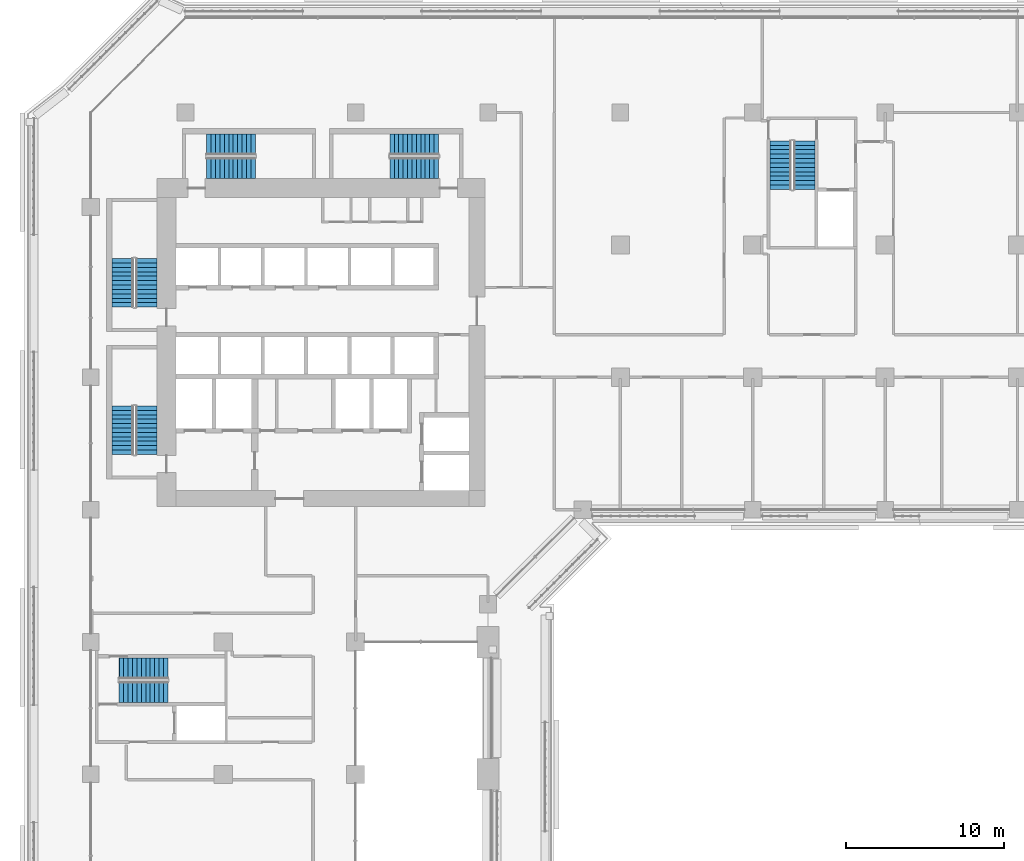
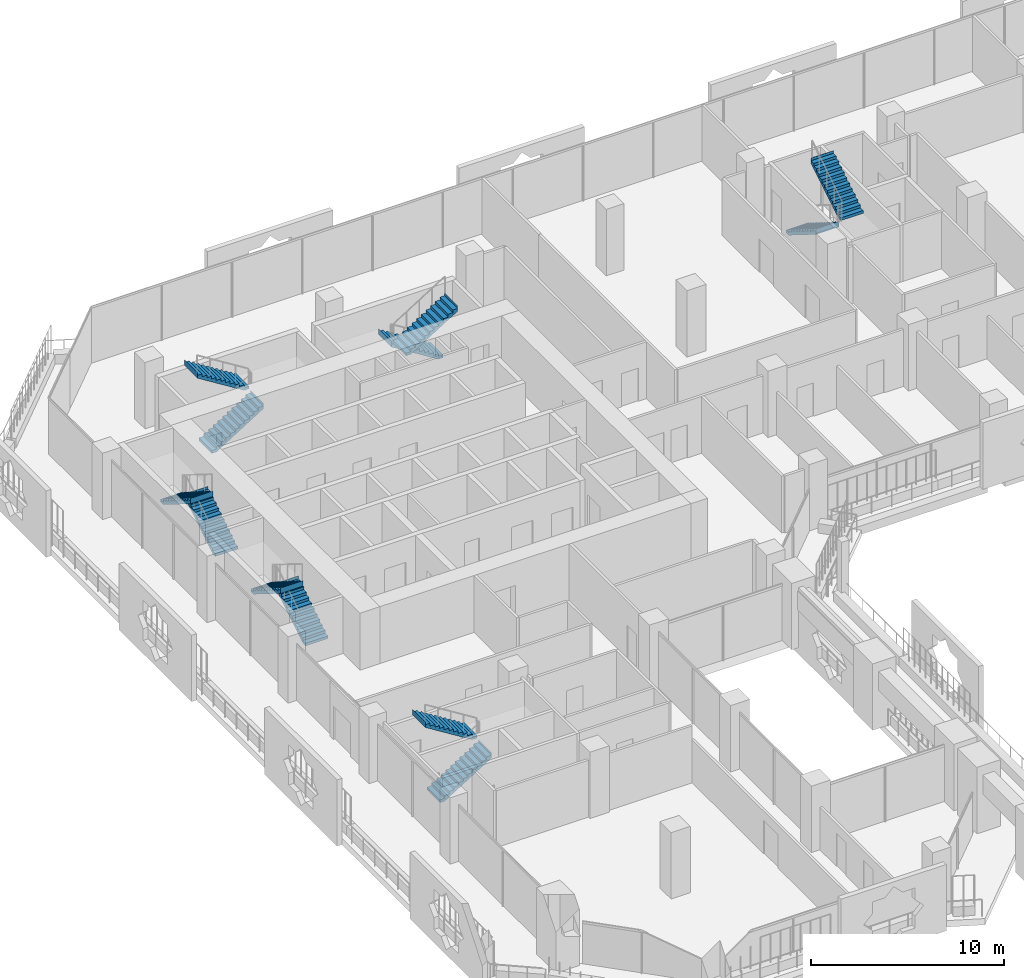
# One storey, part 20 of 29: 12 stair flights, 6 elements without a shape of their own.
"""IFC4 building model written with IfcOpenShell, lengths in metres."""

from ifc_helpers import new_model, si_unit, direction, frame, origin, place, context, subcontext, project, spatial, polyline, outline, extrude, material, type_object, element, aggregate, save


model = new_model("IFC4")

# Units and contexts
model_context = context("Model", 3, precision=1e-05, world=origin(), true_north=direction((0.0, 1.0)))
body_context = subcontext(model_context, "Body", "Model", "MODEL_VIEW")
ifc_project = project(units=[si_unit("LENGTHUNIT", "METRE"), si_unit("AREAUNIT", "SQUARE_METRE"), si_unit("VOLUMEUNIT", "CUBIC_METRE"), si_unit("PLANEANGLEUNIT", "RADIAN"), si_unit("MASSUNIT", "GRAM", prefix="KILO")], contexts=[model_context])

# Site, building, storey
site_placement = place(None, origin())
site = spatial("IfcSite", under=ifc_project, at=site_placement, CompositionType="ELEMENT")
building_placement = place(site_placement, origin())
building = spatial("IfcBuilding", under=site, at=building_placement, Name="Kawkab Arch Medical Tower", CompositionType="ELEMENT")
storey_placement = place(building_placement, frame((0.0, 0.0, 107.199951171875)))
storey = spatial("IfcBuildingStorey", under=building, at=storey_placement, Name="L24", CompositionType="ELEMENT", Elevation=107.199951171875)

# Stair, stair flights
ifc_material_1 = material(Name="Concrete C40/50", Category="concrete")
stair_type = type_object("IfcStairType", Name="Exit stair 1350", PredefinedType="HALF_TURN_STAIR", material=ifc_material_1)
placement = place(storey_placement, origin())
stair_1 = element("IfcStair", 1, at=placement, inside=storey, type_object=stair_type, Name="L24 Exit stair ST1", PredefinedType="HALF_TURN_STAIR")
ifc_material_2 = material(Name="Concrete C40/50", Category="concrete")
stair_flight_type = type_object("IfcStairFlightType", Name="Exit stair flight 1350", PredefinedType="STRAIGHT", material=ifc_material_2)
stair_flight_1_placement = place(storey_placement, frame((3.52490234375, -12.35009765625, 0.0), z_axis=(0.0, 0.0, 1.0), x_axis=(0.0, 1.0, 0.0)))
stair_flight_1 = element("IfcStairFlight", 2, at=stair_flight_1_placement, type_object=stair_flight_type, Name="ST1 flight 1", NumberOfRisers=12, NumberOfTreads=11, PredefinedType="STRAIGHT", RiserHeight=0.175, TreadLength=0.28, context=body_context, shape_type="SweptSolid", body=[
    extrude(outline(polyline([(-0.0029296875, 0.0), (-0.0029296875, 0.175048828125), (0.0, 0.175048828125), (0.280029296875, 0.175048828125), (0.280029296875, 0.35009765625), (0.56005859375, 0.35009765625), (0.56005859375, 0.52490234375), (0.840087890625, 0.52490234375), (0.840087890625, 0.699951171875), (1.1201171875, 0.699951171875), (1.1201171875, 0.875), (1.39990234375, 0.875), (1.39990234375, 1.050048828125), (1.679931640625, 1.050048828125), (1.679931640625, 1.22509765625), (1.9599609375, 1.22509765625), (1.9599609375, 1.39990234375), (2.239990234375, 1.39990234375), (2.239990234375, 1.574951171875), (2.52001953125, 1.574951171875), (2.52001953125, 1.75), (2.800048828125, 1.75), (2.800048828125, 1.925048828125), (3.080078125, 1.925048828125), (3.080078125, 2.10009765625), (3.0830078125, 2.10009765625), (3.0830078125, 1.748291015625), (3.080078125, 1.748291015625), (0.28271484375, 0.0), (-0.0029296875, 0.0)])), frame((0.0, 0.675048828125, 0.0), z_axis=(0.0, -1.0, 0.0), x_axis=(1.0, 0.0, 0.0)), (0.0, 0.0, 1.0), 1.35009765625),
])
stair_flight_2_placement = place(storey_placement, frame((2.02490234375, -9.27001953125, 2.10009765625), z_axis=(0.0, 0.0, 1.0), x_axis=(0.0, -1.0, 0.0)))
stair_flight_2 = element("IfcStairFlight", 3, at=stair_flight_2_placement, type_object=stair_flight_type, Name="ST1 flight 2", NumberOfRisers=12, NumberOfTreads=11, PredefinedType="STRAIGHT", RiserHeight=0.175, TreadLength=0.28, context=body_context, shape_type="SweptSolid", body=[
    extrude(outline(polyline([(-0.0029296875, 0.0), (-0.0029296875, 0.175048828125), (0.0, 0.175048828125), (0.280029296875, 0.175048828125), (0.280029296875, 0.35009765625), (0.56005859375, 0.35009765625), (0.56005859375, 0.52490234375), (0.840087890625, 0.52490234375), (0.840087890625, 0.699951171875), (1.1201171875, 0.699951171875), (1.1201171875, 0.875), (1.39990234375, 0.875), (1.39990234375, 1.050048828125), (1.679931640625, 1.050048828125), (1.679931640625, 1.22509765625), (1.9599609375, 1.22509765625), (1.9599609375, 1.39990234375), (2.239990234375, 1.39990234375), (2.239990234375, 1.574951171875), (2.52001953125, 1.574951171875), (2.52001953125, 1.75), (2.800048828125, 1.75), (2.800048828125, 1.925048828125), (3.080078125, 1.925048828125), (3.080078125, 2.10009765625), (3.0830078125, 2.10009765625), (3.0830078125, 1.748291015625), (3.080078125, 1.748291015625), (0.28271484375, 0.0), (-0.0029296875, 0.0)])), frame((0.0, 0.675048828125, 0.0), z_axis=(0.0, -1.0, 0.0), x_axis=(1.0, 0.0, 0.0)), (0.0, 0.0, 1.0), 1.35009765625),
])
aggregate(stair_1, [stair_flight_1, stair_flight_2])

stair_2 = element("IfcStair", 4, at=placement, inside=storey, type_object=stair_type, Name="L24 Exit stair ST2", PredefinedType="HALF_TURN_STAIR")
stair_flight_3_placement = place(storey_placement, frame((3.52490234375, -21.699951171875, 0.0), z_axis=(0.0, 0.0, 1.0), x_axis=(0.0, 1.0, 0.0)))
stair_flight_3 = element("IfcStairFlight", 5, at=stair_flight_3_placement, type_object=stair_flight_type, Name="ST2 flight 1", NumberOfRisers=12, NumberOfTreads=11, PredefinedType="STRAIGHT", RiserHeight=0.175, TreadLength=0.28, context=body_context, shape_type="SweptSolid", body=[
    extrude(outline(polyline([(-0.0029296875, 0.0), (-0.0029296875, 0.175048828125), (0.0, 0.175048828125), (0.280029296875, 0.175048828125), (0.280029296875, 0.35009765625), (0.56005859375, 0.35009765625), (0.56005859375, 0.52490234375), (0.840087890625, 0.52490234375), (0.840087890625, 0.699951171875), (1.1201171875, 0.699951171875), (1.1201171875, 0.875), (1.39990234375, 0.875), (1.39990234375, 1.050048828125), (1.679931640625, 1.050048828125), (1.679931640625, 1.22509765625), (1.9599609375, 1.22509765625), (1.9599609375, 1.39990234375), (2.239990234375, 1.39990234375), (2.239990234375, 1.574951171875), (2.52001953125, 1.574951171875), (2.52001953125, 1.75), (2.800048828125, 1.75), (2.800048828125, 1.925048828125), (3.080078125, 1.925048828125), (3.080078125, 2.10009765625), (3.0830078125, 2.10009765625), (3.0830078125, 1.748291015625), (3.080078125, 1.748291015625), (0.28271484375, 0.0), (-0.0029296875, 0.0)])), frame((0.0, 0.675048828125, 0.0), z_axis=(0.0, -1.0, 0.0), x_axis=(1.0, 0.0, 0.0)), (0.0, 0.0, 1.0), 1.35009765625),
])
stair_flight_4_placement = place(storey_placement, frame((2.02490234375, -18.6201171875, 2.10009765625), z_axis=(0.0, 0.0, 1.0), x_axis=(0.0, -1.0, 0.0)))
stair_flight_4 = element("IfcStairFlight", 6, at=stair_flight_4_placement, type_object=stair_flight_type, Name="ST2 flight 2", NumberOfRisers=12, NumberOfTreads=11, PredefinedType="STRAIGHT", RiserHeight=0.175, TreadLength=0.28, context=body_context, shape_type="SweptSolid", body=[
    extrude(outline(polyline([(-0.0029296875, 0.0), (-0.0029296875, 0.175048828125), (0.0, 0.175048828125), (0.280029296875, 0.175048828125), (0.280029296875, 0.35009765625), (0.56005859375, 0.35009765625), (0.56005859375, 0.52490234375), (0.840087890625, 0.52490234375), (0.840087890625, 0.699951171875), (1.1201171875, 0.699951171875), (1.1201171875, 0.875), (1.39990234375, 0.875), (1.39990234375, 1.050048828125), (1.679931640625, 1.050048828125), (1.679931640625, 1.22509765625), (1.9599609375, 1.22509765625), (1.9599609375, 1.39990234375), (2.239990234375, 1.39990234375), (2.239990234375, 1.574951171875), (2.52001953125, 1.574951171875), (2.52001953125, 1.75), (2.800048828125, 1.75), (2.800048828125, 1.925048828125), (3.080078125, 1.925048828125), (3.080078125, 2.10009765625), (3.0830078125, 2.10009765625), (3.0830078125, 1.748291015625), (3.080078125, 1.748291015625), (0.28271484375, 0.0), (-0.0029296875, 0.0)])), frame((0.0, 0.675048828125, 0.0), z_axis=(0.0, -1.0, 0.0), x_axis=(1.0, 0.0, 0.0)), (0.0, 0.0, 1.0), 1.35009765625),
])
aggregate(stair_2, [stair_flight_3, stair_flight_4])

stair_3 = element("IfcStair", 7, at=placement, inside=storey, type_object=stair_type, Name="L24 Exit stair ST3", PredefinedType="HALF_TURN_STAIR")
stair_flight_5_placement = place(storey_placement, frame((7.35009765625, -3.52490234375, 0.0), z_axis=(0.0, 0.0, 1.0), x_axis=(1.0, 0.0, 0.0)))
stair_flight_5 = element("IfcStairFlight", 8, at=stair_flight_5_placement, type_object=stair_flight_type, Name="ST3 flight 1", NumberOfRisers=12, NumberOfTreads=11, PredefinedType="STRAIGHT", RiserHeight=0.175, TreadLength=0.28, context=body_context, shape_type="SweptSolid", body=[
    extrude(outline(polyline([(-0.0029296875, 0.0), (-0.0029296875, 0.175048828125), (0.0, 0.175048828125), (0.280029296875, 0.175048828125), (0.280029296875, 0.35009765625), (0.56005859375, 0.35009765625), (0.56005859375, 0.52490234375), (0.840087890625, 0.52490234375), (0.840087890625, 0.699951171875), (1.1201171875, 0.699951171875), (1.1201171875, 0.875), (1.39990234375, 0.875), (1.39990234375, 1.050048828125), (1.679931640625, 1.050048828125), (1.679931640625, 1.22509765625), (1.9599609375, 1.22509765625), (1.9599609375, 1.39990234375), (2.239990234375, 1.39990234375), (2.239990234375, 1.574951171875), (2.52001953125, 1.574951171875), (2.52001953125, 1.75), (2.800048828125, 1.75), (2.800048828125, 1.925048828125), (3.080078125, 1.925048828125), (3.080078125, 2.10009765625), (3.0830078125, 2.10009765625), (3.0830078125, 1.748291015625), (3.080078125, 1.748291015625), (0.28271484375, 0.0), (-0.0029296875, 0.0)])), frame((0.0, 0.675048828125, 0.0), z_axis=(0.0, -1.0, 0.0), x_axis=(1.0, 0.0, 0.0)), (0.0, 0.0, 1.0), 1.35009765625),
])
stair_flight_6_placement = place(storey_placement, frame((10.429931640625, -2.02490234375, 2.10009765625), z_axis=(0.0, 0.0, 1.0), x_axis=(-1.0, 0.0, 0.0)))
stair_flight_6 = element("IfcStairFlight", 9, at=stair_flight_6_placement, type_object=stair_flight_type, Name="ST3 flight 2", NumberOfRisers=12, NumberOfTreads=11, PredefinedType="STRAIGHT", RiserHeight=0.175, TreadLength=0.28, context=body_context, shape_type="SweptSolid", body=[
    extrude(outline(polyline([(-0.0029296875, 0.0), (-0.0029296875, 0.175048828125), (0.0, 0.175048828125), (0.280029296875, 0.175048828125), (0.280029296875, 0.35009765625), (0.56005859375, 0.35009765625), (0.56005859375, 0.52490234375), (0.840087890625, 0.52490234375), (0.840087890625, 0.699951171875), (1.1201171875, 0.699951171875), (1.1201171875, 0.875), (1.39990234375, 0.875), (1.39990234375, 1.050048828125), (1.679931640625, 1.050048828125), (1.679931640625, 1.22509765625), (1.9599609375, 1.22509765625), (1.9599609375, 1.39990234375), (2.239990234375, 1.39990234375), (2.239990234375, 1.574951171875), (2.52001953125, 1.574951171875), (2.52001953125, 1.75), (2.800048828125, 1.75), (2.800048828125, 1.925048828125), (3.080078125, 1.925048828125), (3.080078125, 2.10009765625), (3.0830078125, 2.10009765625), (3.0830078125, 1.748291015625), (3.080078125, 1.748291015625), (0.28271484375, 0.0), (-0.0029296875, 0.0)])), frame((0.0, 0.675048828125, 0.0), z_axis=(0.0, -1.0, 0.0), x_axis=(1.0, 0.0, 0.0)), (0.0, 0.0, 1.0), 1.35009765625),
])
aggregate(stair_3, [stair_flight_5, stair_flight_6])

stair_4 = element("IfcStair", 10, at=placement, inside=storey, type_object=stair_type, Name="L24 Exit stair ST4", PredefinedType="HALF_TURN_STAIR")
stair_flight_7_placement = place(storey_placement, frame((22.050048828125, -2.02490234375, 0.0), z_axis=(0.0, 0.0, 1.0), x_axis=(-1.0, 0.0, 0.0)))
stair_flight_7 = element("IfcStairFlight", 11, at=stair_flight_7_placement, type_object=stair_flight_type, Name="ST4 flight 1", NumberOfRisers=12, NumberOfTreads=11, PredefinedType="STRAIGHT", RiserHeight=0.175, TreadLength=0.28, context=body_context, shape_type="SweptSolid", body=[
    extrude(outline(polyline([(-0.0029296875, 0.0), (-0.0029296875, 0.175048828125), (0.0, 0.175048828125), (0.280029296875, 0.175048828125), (0.280029296875, 0.35009765625), (0.56005859375, 0.35009765625), (0.56005859375, 0.52490234375), (0.840087890625, 0.52490234375), (0.840087890625, 0.699951171875), (1.1201171875, 0.699951171875), (1.1201171875, 0.875), (1.39990234375, 0.875), (1.39990234375, 1.050048828125), (1.679931640625, 1.050048828125), (1.679931640625, 1.22509765625), (1.9599609375, 1.22509765625), (1.9599609375, 1.39990234375), (2.239990234375, 1.39990234375), (2.239990234375, 1.574951171875), (2.52001953125, 1.574951171875), (2.52001953125, 1.75), (2.800048828125, 1.75), (2.800048828125, 1.925048828125), (3.080078125, 1.925048828125), (3.080078125, 2.10009765625), (3.0830078125, 2.10009765625), (3.0830078125, 1.748291015625), (3.080078125, 1.748291015625), (0.28271484375, 0.0), (-0.0029296875, 0.0)])), frame((0.0, 0.675048828125, 0.0), z_axis=(0.0, -1.0, 0.0), x_axis=(1.0, 0.0, 0.0)), (0.0, 0.0, 1.0), 1.35009765625),
])
stair_flight_8_placement = place(storey_placement, frame((18.969970703125, -3.52490234375, 2.10009765625), z_axis=(0.0, 0.0, 1.0), x_axis=(1.0, 0.0, 0.0)))
stair_flight_8 = element("IfcStairFlight", 12, at=stair_flight_8_placement, type_object=stair_flight_type, Name="ST4 flight 2", NumberOfRisers=12, NumberOfTreads=11, PredefinedType="STRAIGHT", RiserHeight=0.175, TreadLength=0.28, context=body_context, shape_type="SweptSolid", body=[
    extrude(outline(polyline([(-0.0029296875, 0.0), (-0.0029296875, 0.175048828125), (0.0, 0.175048828125), (0.280029296875, 0.175048828125), (0.280029296875, 0.35009765625), (0.56005859375, 0.35009765625), (0.56005859375, 0.52490234375), (0.840087890625, 0.52490234375), (0.840087890625, 0.699951171875), (1.1201171875, 0.699951171875), (1.1201171875, 0.875), (1.39990234375, 0.875), (1.39990234375, 1.050048828125), (1.679931640625, 1.050048828125), (1.679931640625, 1.22509765625), (1.9599609375, 1.22509765625), (1.9599609375, 1.39990234375), (2.239990234375, 1.39990234375), (2.239990234375, 1.574951171875), (2.52001953125, 1.574951171875), (2.52001953125, 1.75), (2.800048828125, 1.75), (2.800048828125, 1.925048828125), (3.080078125, 1.925048828125), (3.080078125, 2.10009765625), (3.0830078125, 2.10009765625), (3.0830078125, 1.748291015625), (3.080078125, 1.748291015625), (0.28271484375, 0.0), (-0.0029296875, 0.0)])), frame((0.0, 0.675048828125, 0.0), z_axis=(0.0, -1.0, 0.0), x_axis=(1.0, 0.0, 0.0)), (0.0, 0.0, 1.0), 1.35009765625),
])
aggregate(stair_4, [stair_flight_7, stair_flight_8])

stair_5 = element("IfcStair", 13, at=placement, inside=storey, type_object=stair_type, Name="L24 Exit stair ST5", PredefinedType="HALF_TURN_STAIR")
stair_flight_9_placement = place(storey_placement, frame((43.77490234375, -1.800048828125, 0.0), z_axis=(0.0, 0.0, 1.0), x_axis=(0.0, -1.0, 0.0)))
stair_flight_9 = element("IfcStairFlight", 14, at=stair_flight_9_placement, type_object=stair_flight_type, Name="ST5 flight 1", NumberOfRisers=12, NumberOfTreads=11, PredefinedType="STRAIGHT", RiserHeight=0.175, TreadLength=0.28, context=body_context, shape_type="SweptSolid", body=[
    extrude(outline(polyline([(-0.0029296875, 0.0), (-0.0029296875, 0.175048828125), (0.0, 0.175048828125), (0.280029296875, 0.175048828125), (0.280029296875, 0.35009765625), (0.56005859375, 0.35009765625), (0.56005859375, 0.52490234375), (0.840087890625, 0.52490234375), (0.840087890625, 0.699951171875), (1.1201171875, 0.699951171875), (1.1201171875, 0.875), (1.39990234375, 0.875), (1.39990234375, 1.050048828125), (1.679931640625, 1.050048828125), (1.679931640625, 1.22509765625), (1.9599609375, 1.22509765625), (1.9599609375, 1.39990234375), (2.239990234375, 1.39990234375), (2.239990234375, 1.574951171875), (2.52001953125, 1.574951171875), (2.52001953125, 1.75), (2.800048828125, 1.75), (2.800048828125, 1.925048828125), (3.080078125, 1.925048828125), (3.080078125, 2.10009765625), (3.0830078125, 2.10009765625), (3.0830078125, 1.748291015625), (3.080078125, 1.748291015625), (0.28271484375, 0.0), (-0.0029296875, 0.0)])), frame((0.0, 0.675048828125, 0.0), z_axis=(0.0, -1.0, 0.0), x_axis=(1.0, 0.0, 0.0)), (0.0, 0.0, 1.0), 1.35009765625),
])
stair_flight_10_placement = place(storey_placement, frame((45.27490234375, -4.8798828125, 2.10009765625), z_axis=(0.0, 0.0, 1.0), x_axis=(0.0, 1.0, 0.0)))
stair_flight_10 = element("IfcStairFlight", 15, at=stair_flight_10_placement, type_object=stair_flight_type, Name="ST5 flight 2", NumberOfRisers=12, NumberOfTreads=11, PredefinedType="STRAIGHT", RiserHeight=0.175, TreadLength=0.28, context=body_context, shape_type="SweptSolid", body=[
    extrude(outline(polyline([(-0.0029296875, 0.0), (-0.0029296875, 0.175048828125), (0.0, 0.175048828125), (0.280029296875, 0.175048828125), (0.280029296875, 0.35009765625), (0.56005859375, 0.35009765625), (0.56005859375, 0.52490234375), (0.840087890625, 0.52490234375), (0.840087890625, 0.699951171875), (1.1201171875, 0.699951171875), (1.1201171875, 0.875), (1.39990234375, 0.875), (1.39990234375, 1.050048828125), (1.679931640625, 1.050048828125), (1.679931640625, 1.22509765625), (1.9599609375, 1.22509765625), (1.9599609375, 1.39990234375), (2.239990234375, 1.39990234375), (2.239990234375, 1.574951171875), (2.52001953125, 1.574951171875), (2.52001953125, 1.75), (2.800048828125, 1.75), (2.800048828125, 1.925048828125), (3.080078125, 1.925048828125), (3.080078125, 2.10009765625), (3.0830078125, 2.10009765625), (3.0830078125, 1.748291015625), (3.080078125, 1.748291015625), (0.28271484375, 0.0), (-0.0029296875, 0.0)])), frame((0.0, 0.675048828125, 0.0), z_axis=(0.0, -1.0, 0.0), x_axis=(1.0, 0.0, 0.0)), (0.0, 0.0, 1.0), 1.35009765625),
])
aggregate(stair_5, [stair_flight_9, stair_flight_10])

stair_6 = element("IfcStair", 16, at=placement, inside=storey, type_object=stair_type, Name="L24 Exit stair ST6", PredefinedType="HALF_TURN_STAIR")
stair_flight_11_placement = place(storey_placement, frame((1.800048828125, -36.77490234375, 0.0), z_axis=(0.0, 0.0, 1.0), x_axis=(1.0, 0.0, 0.0)))
stair_flight_11 = element("IfcStairFlight", 17, at=stair_flight_11_placement, type_object=stair_flight_type, Name="ST6 flight 1", NumberOfRisers=12, NumberOfTreads=11, PredefinedType="STRAIGHT", RiserHeight=0.175, TreadLength=0.28, context=body_context, shape_type="SweptSolid", body=[
    extrude(outline(polyline([(-0.0029296875, 0.0), (-0.0029296875, 0.175048828125), (0.0, 0.175048828125), (0.280029296875, 0.175048828125), (0.280029296875, 0.35009765625), (0.56005859375, 0.35009765625), (0.56005859375, 0.52490234375), (0.840087890625, 0.52490234375), (0.840087890625, 0.699951171875), (1.1201171875, 0.699951171875), (1.1201171875, 0.875), (1.39990234375, 0.875), (1.39990234375, 1.050048828125), (1.679931640625, 1.050048828125), (1.679931640625, 1.22509765625), (1.9599609375, 1.22509765625), (1.9599609375, 1.39990234375), (2.239990234375, 1.39990234375), (2.239990234375, 1.574951171875), (2.52001953125, 1.574951171875), (2.52001953125, 1.75), (2.800048828125, 1.75), (2.800048828125, 1.925048828125), (3.080078125, 1.925048828125), (3.080078125, 2.10009765625), (3.0830078125, 2.10009765625), (3.0830078125, 1.748291015625), (3.080078125, 1.748291015625), (0.28271484375, 0.0), (-0.0029296875, 0.0)])), frame((0.0, 0.675048828125, 0.0), z_axis=(0.0, -1.0, 0.0), x_axis=(1.0, 0.0, 0.0)), (0.0, 0.0, 1.0), 1.35009765625),
])
stair_flight_12_placement = place(storey_placement, frame((4.8798828125, -35.27490234375, 2.10009765625), z_axis=(0.0, 0.0, 1.0), x_axis=(-1.0, 0.0, 0.0)))
stair_flight_12 = element("IfcStairFlight", 18, at=stair_flight_12_placement, type_object=stair_flight_type, Name="ST6 flight 2", NumberOfRisers=12, NumberOfTreads=11, PredefinedType="STRAIGHT", RiserHeight=0.175, TreadLength=0.28, context=body_context, shape_type="SweptSolid", body=[
    extrude(outline(polyline([(-0.0029296875, 0.0), (-0.0029296875, 0.175048828125), (0.0, 0.175048828125), (0.280029296875, 0.175048828125), (0.280029296875, 0.35009765625), (0.56005859375, 0.35009765625), (0.56005859375, 0.52490234375), (0.840087890625, 0.52490234375), (0.840087890625, 0.699951171875), (1.1201171875, 0.699951171875), (1.1201171875, 0.875), (1.39990234375, 0.875), (1.39990234375, 1.050048828125), (1.679931640625, 1.050048828125), (1.679931640625, 1.22509765625), (1.9599609375, 1.22509765625), (1.9599609375, 1.39990234375), (2.239990234375, 1.39990234375), (2.239990234375, 1.574951171875), (2.52001953125, 1.574951171875), (2.52001953125, 1.75), (2.800048828125, 1.75), (2.800048828125, 1.925048828125), (3.080078125, 1.925048828125), (3.080078125, 2.10009765625), (3.0830078125, 2.10009765625), (3.0830078125, 1.748291015625), (3.080078125, 1.748291015625), (0.28271484375, 0.0), (-0.0029296875, 0.0)])), frame((0.0, 0.675048828125, 0.0), z_axis=(0.0, -1.0, 0.0), x_axis=(1.0, 0.0, 0.0)), (0.0, 0.0, 1.0), 1.35009765625),
])
aggregate(stair_6, [stair_flight_11, stair_flight_12])

save(model, "model.ifc")
